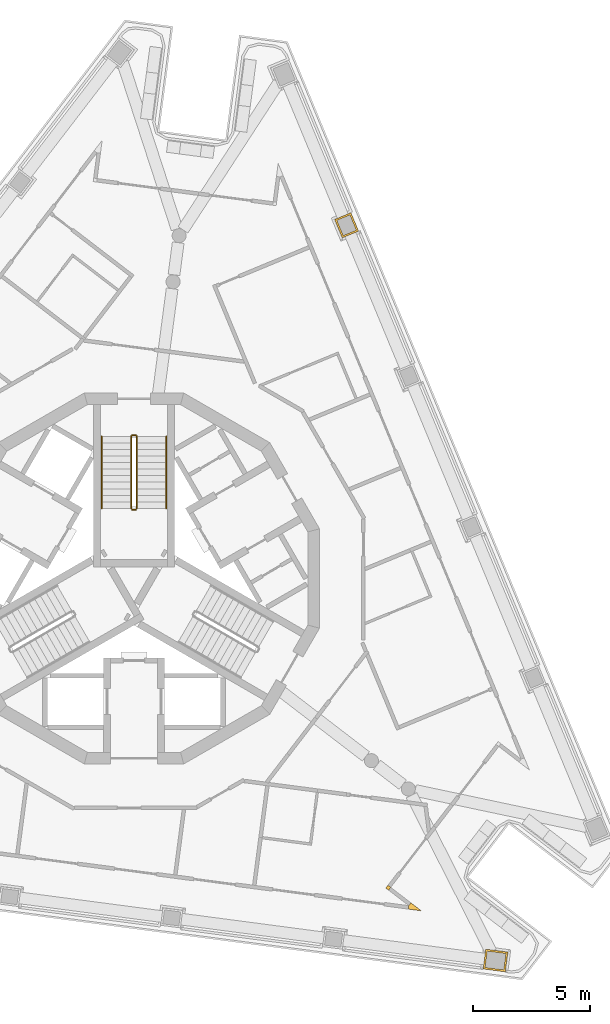
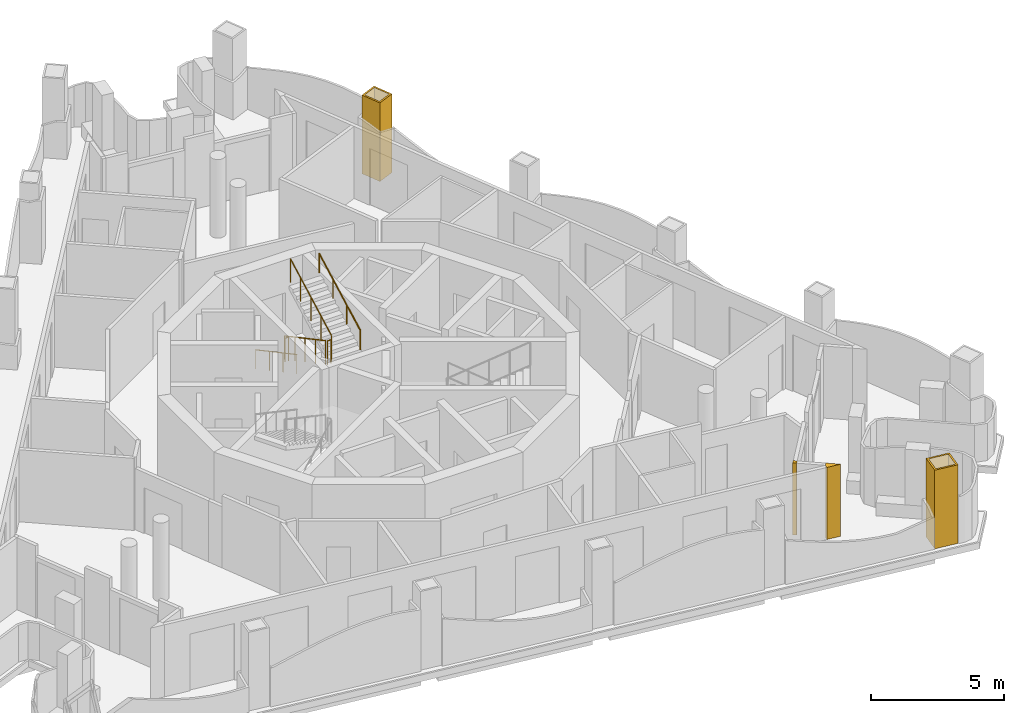
# One storey, part 11 of 13: 6 railings, 4 coverings.
"""IFC4 building model written with IfcOpenShell, lengths in metres."""

from ifc_helpers import new_model, si_unit, direction, frame, origin, origin_2d, place, context, subcontext, project, spatial, polyline, circle, outline, extrude, material, layer, layer_set, type_object, element, save


model = new_model("IFC4")

# Units and contexts
model_context = context("Model", 3, precision=1e-05, world=origin(), true_north=direction((0.0, 1.0)))
body_context = subcontext(model_context, "Body", "Model", "MODEL_VIEW")
ifc_project = project(units=[si_unit("LENGTHUNIT", "METRE"), si_unit("AREAUNIT", "SQUARE_METRE"), si_unit("VOLUMEUNIT", "CUBIC_METRE"), si_unit("PLANEANGLEUNIT", "RADIAN"), si_unit("MASSUNIT", "GRAM", prefix="KILO")], contexts=[model_context])

# Site, building, storey
site_placement = place(None, origin())
site = spatial("IfcSite", under=ifc_project, at=site_placement, CompositionType="ELEMENT")
building_placement = place(site_placement, origin())
building = spatial("IfcBuilding", under=site, at=building_placement, Name="Trine Commons Tower", CompositionType="ELEMENT")
storey_placement = place(building_placement, frame((0.0, 0.0, 286.199951171875)))
storey = spatial("IfcBuildingStorey", under=building, at=storey_placement, Name="L75", CompositionType="ELEMENT", Elevation=286.199951171875)

# Coverings
ifc_material_1 = material(Name="Aluminium-framed insulated wall panel", Category="aluminium")
ifc_layer_1 = layer(ifc_material_1, 0.14990234375)
ifc_layer_set_1 = layer_set([ifc_layer_1], Name="Aluminium-framed insulated wall panel")
covering_type_1 = type_object("IfcCoveringType", Name="Glazing corner post, aluminium", PredefinedType="CLADDING", material=ifc_layer_set_1)
covering_1_placement = place(storey_placement, origin())
element("IfcCovering", 1, at=covering_1_placement, inside=storey, type_object=covering_type_1, Name="Glazing corner post 8-08", PredefinedType="CLADDING", context=body_context, shape_type="SweptSolid", body=[
    extrude(outline(polyline([(90.86962890625, 49.193115234375), (90.9609375, 49.312255859375), (90.841796875, 49.403564453125), (90.75048828125, 49.284423828125), (90.86962890625, 49.193115234375)])), origin(), (0.0, 0.0, 1.0), 3.300048828125),
])
covering_2_placement = place(storey_placement, origin())
element("IfcCovering", 2, at=covering_2_placement, inside=storey, type_object=covering_type_1, Name="Glazing corner post 8-09", PredefinedType="CLADDING", context=body_context, shape_type="SweptSolid", body=[
    extrude(outline(polyline([(91.71142578125, 48.383544921875), (92.266357421875, 48.310302734375), (91.822265625, 48.651123046875), (91.73095703125, 48.5322265625), (91.71142578125, 48.383544921875)])), origin(), (0.0, 0.0, 1.0), 3.300048828125),
])
ifc_material_2 = material(Name="Limestone, honed", Category="masonry")
ifc_layer_2 = layer(ifc_material_2, 0.074951171875)
ifc_layer_set_2 = layer_set([ifc_layer_2], Name="Limestone, honed")
covering_type_2 = type_object("IfcCoveringType", Name="Limestone column cladding 75", PredefinedType="CLADDING", material=ifc_layer_set_2)
covering_3_placement = place(storey_placement, origin())
element("IfcCovering", 3, at=covering_3_placement, inside=storey, type_object=covering_type_2, Name="Limestone pier cladding 8-01", PredefinedType="CLADDING", context=body_context, shape_type="SweptSolid", body=[
    extrude(outline(polyline([(95.019287109375, 46.672119140625), (94.908447265625, 45.829345703125), (95.850341796875, 45.705322265625), (95.961181640625, 46.548095703125), (95.019287109375, 46.672119140625)]), holes=[polyline([(95.083984375, 46.587890625), (94.992431640625, 45.893798828125), (95.78564453125, 45.78955078125), (95.877197265625, 46.4833984375), (95.083984375, 46.587890625)])]), origin(), (0.0, 0.0, 1.0), 3.60009765625),
])
covering_4_placement = place(storey_placement, origin())
element("IfcCovering", 4, at=covering_4_placement, inside=storey, type_object=covering_type_2, Name="Limestone pier cladding 8-14", PredefinedType="CLADDING", context=body_context, shape_type="SweptSolid", body=[
    extrude(outline(polyline([(89.2607421875, 78.11669921875), (88.56787109375, 77.82958984375), (88.89306640625, 77.04443359375), (89.5859375, 77.33154296875), (89.2607421875, 78.11669921875)]), holes=[polyline([(89.22021484375, 78.018798828125), (88.665771484375, 77.789306640625), (88.93359375, 77.142333984375), (89.488037109375, 77.3720703125), (89.22021484375, 78.018798828125)])]), origin(), (0.0, 0.0, 1.0), 3.60009765625),
])

# Railings
ifc_material_3 = material(Name="Stainless steel balustrade", Category="steel")
railing_type_1 = type_object("IfcRailingType", Name="Stair guard, steel balustrade 1100", PredefinedType="GUARDRAIL", material=ifc_material_3)
railing_1_placement = place(storey_placement, frame((79.875, 68.570556640625, 0.150146484375)))
element("IfcRailing", 5, at=railing_1_placement, inside=storey, type_object=railing_type_1, Name="L75 ST1D stair guard 1", PredefinedType="GUARDRAIL", context=body_context, shape_type="SweptSolid", body=[
    extrude(circle(Radius=0.02392578125, at=origin_2d()), frame((0.0, 0.0, 1.076171875), z_axis=(0.0, -0.881496589024, 0.472190389079), x_axis=(1.0, 0.0, 0.0)), (0.0, 0.0, 1.0), 3.494140625),
    extrude(circle(Radius=0.02099609375, at=origin_2d()), origin(), (0.0, 0.0, 1.0), 1.052001953125),
    extrude(circle(Radius=0.02099609375, at=origin_2d()), frame((0.0, -0.77001953125, 0.41259765625)), (0.0, 0.0, 1.0), 1.052001953125),
    extrude(circle(Radius=0.02099609375, at=origin_2d()), frame((0.0, -1.5400390625, 0.824951171875)), (0.0, 0.0, 1.0), 1.052001953125),
    extrude(circle(Radius=0.02099609375, at=origin_2d()), frame((0.0, -2.31005859375, 1.2373046875)), (0.0, 0.0, 1.0), 1.052001953125),
    extrude(circle(Radius=0.02099609375, at=origin_2d()), frame((0.0, -3.080078125, 1.64990234375)), (0.0, 0.0, 1.0), 1.052001953125),
])
railing_2_placement = place(storey_placement, frame((79.925048828125, 65.440673828125, 1.800048828125)))
element("IfcRailing", 6, at=railing_2_placement, inside=storey, type_object=railing_type_1, Name="L75 ST1D stair guard 2", PredefinedType="GUARDRAIL", context=body_context, shape_type="SweptSolid", body=[
    extrude(circle(Radius=0.02392578125, at=origin_2d()), frame((0.0, 0.0, 1.076171875), z_axis=(1.0, 0.0, 0.0), x_axis=(0.0, 1.0, 0.0)), (0.0, 0.0, 1.0), 0.14990234375),
    extrude(circle(Radius=0.02099609375, at=origin_2d()), origin(), (0.0, 0.0, 1.0), 1.052001953125),
    extrude(circle(Radius=0.02099609375, at=origin_2d()), frame((0.14990234375, 0.0, 0.0)), (0.0, 0.0, 1.0), 1.052001953125),
])
railing_3_placement = place(storey_placement, frame((80.125, 65.490478515625, 1.949951171875)))
element("IfcRailing", 7, at=railing_3_placement, inside=storey, type_object=railing_type_1, Name="L75 ST1D stair guard 3", PredefinedType="GUARDRAIL", context=body_context, shape_type="SweptSolid", body=[
    extrude(circle(Radius=0.02392578125, at=origin_2d()), frame((0.0, 0.0, 1.076171875), z_axis=(0.0, 0.881467505477, 0.472244678941), x_axis=(-1.0, 0.0, 0.0)), (0.0, 0.0, 1.0), 3.494140625),
    extrude(circle(Radius=0.02099609375, at=origin_2d()), origin(), (0.0, 0.0, 1.0), 1.052001953125),
    extrude(circle(Radius=0.02099609375, at=origin_2d()), frame((0.0, 0.77001953125, 0.41259765625)), (0.0, 0.0, 1.0), 1.052001953125),
    extrude(circle(Radius=0.02099609375, at=origin_2d()), frame((0.0, 1.5400390625, 0.8251953125)), (0.0, 0.0, 1.0), 1.052001953125),
    extrude(circle(Radius=0.02099609375, at=origin_2d()), frame((0.0, 2.31005859375, 1.237548828125)), (0.0, 0.0, 1.0), 1.052001953125),
    extrude(circle(Radius=0.02099609375, at=origin_2d()), frame((0.0, 3.080078125, 1.650146484375)), (0.0, 0.0, 1.0), 1.052001953125),
])
railing_4_placement = place(storey_placement, frame((79.925048828125, 68.62060546875, 0.0)))
element("IfcRailing", 8, at=railing_4_placement, inside=storey, type_object=railing_type_1, Name="L75 ST1D stair guard 4", PredefinedType="GUARDRAIL", context=body_context, shape_type="SweptSolid", body=[
    extrude(circle(Radius=0.02392578125, at=origin_2d()), frame((0.0, 0.0, 1.076171875), z_axis=(1.0, 0.0, 0.0), x_axis=(0.0, 1.0, 0.0)), (0.0, 0.0, 1.0), 0.14990234375),
    extrude(circle(Radius=0.02099609375, at=origin_2d()), origin(), (0.0, 0.0, 1.0), 1.052001953125),
    extrude(circle(Radius=0.02099609375, at=origin_2d()), frame((0.14990234375, 0.0, 0.0)), (0.0, 0.0, 1.0), 1.052001953125),
])
ifc_material_4 = material(Name="Stainless steel handrail", Category="steel")
railing_type_2 = type_object("IfcRailingType", Name="Stair handrail, steel 900", PredefinedType="HANDRAIL", material=ifc_material_4)
railing_5_placement = place(storey_placement, frame((78.625, 68.570556640625, 0.150146484375)))
element("IfcRailing", 9, at=railing_5_placement, inside=storey, type_object=railing_type_2, Name="L75 ST1D stair handrail 1", PredefinedType="HANDRAIL", context=body_context, shape_type="SweptSolid", body=[
    extrude(circle(Radius=0.02099609375, at=origin_2d()), frame((0.0, 0.0, 0.87890625), z_axis=(0.0, -0.881496589024, 0.472190389079), x_axis=(1.0, 0.0, 0.0)), (0.0, 0.0, 1.0), 3.494140625),
    extrude(circle(Radius=0.01513671875, at=origin_2d()), origin(), (0.0, 0.0, 1.0), 0.85791015625),
    extrude(circle(Radius=0.01513671875, at=origin_2d()), frame((0.0, -1.026611328125, 0.550048828125)), (0.0, 0.0, 1.0), 0.85791015625),
    extrude(circle(Radius=0.01513671875, at=origin_2d()), frame((0.0, -2.053466796875, 1.099853515625)), (0.0, 0.0, 1.0), 0.85791015625),
    extrude(circle(Radius=0.01513671875, at=origin_2d()), frame((0.0, -3.080078125, 1.64990234375)), (0.0, 0.0, 1.0), 0.85791015625),
])
railing_6_placement = place(storey_placement, frame((81.375, 65.490478515625, 1.949951171875)))
element("IfcRailing", 10, at=railing_6_placement, inside=storey, type_object=railing_type_2, Name="L75 ST1D stair handrail 2", PredefinedType="HANDRAIL", context=body_context, shape_type="SweptSolid", body=[
    extrude(circle(Radius=0.02099609375, at=origin_2d()), frame((0.0, 0.0, 0.87890625), z_axis=(0.0, 0.881467505477, 0.472244678941), x_axis=(-1.0, 0.0, 0.0)), (0.0, 0.0, 1.0), 3.494140625),
    extrude(circle(Radius=0.01513671875, at=origin_2d()), origin(), (0.0, 0.0, 1.0), 0.85791015625),
    extrude(circle(Radius=0.01513671875, at=origin_2d()), frame((0.0, 1.026611328125, 0.550048828125)), (0.0, 0.0, 1.0), 0.85791015625),
    extrude(circle(Radius=0.01513671875, at=origin_2d()), frame((0.0, 2.053466796875, 1.10009765625)), (0.0, 0.0, 1.0), 0.85791015625),
    extrude(circle(Radius=0.01513671875, at=origin_2d()), frame((0.0, 3.080078125, 1.650146484375)), (0.0, 0.0, 1.0), 0.85791015625),
])

save(model, "model.ifc")
